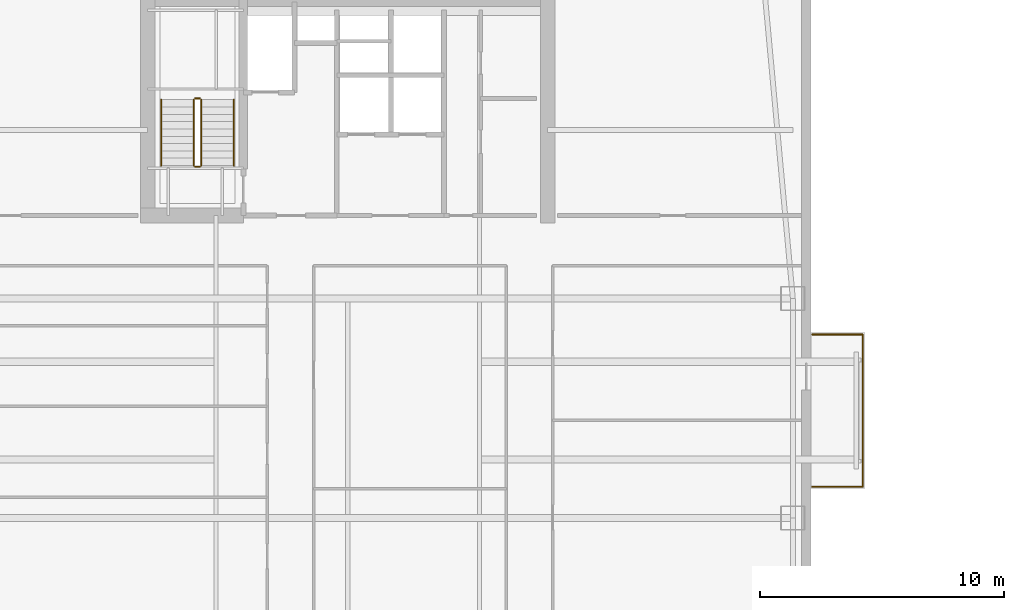
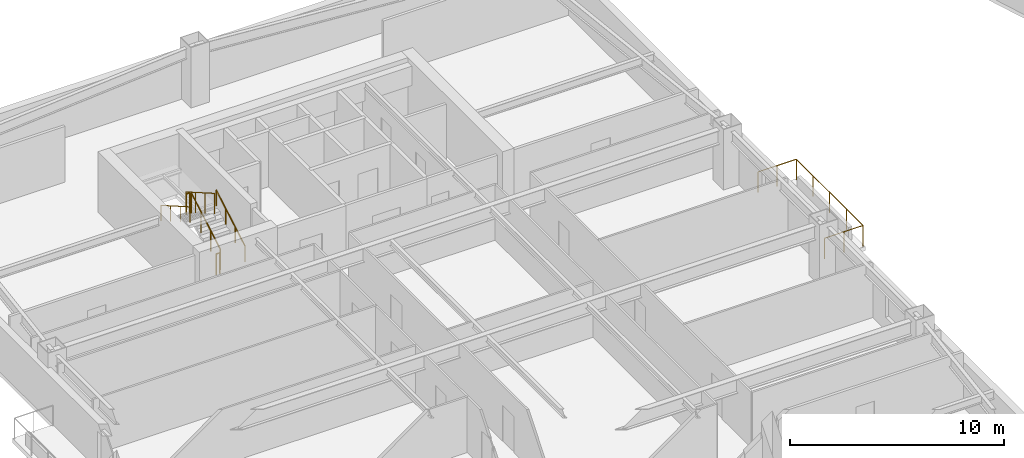
# One storey, part 13 of 15: 7 railings.
"""IFC4 building model written with IfcOpenShell, lengths in metres."""

from ifc_helpers import new_model, si_unit, direction, frame, origin, origin_2d, place, context, subcontext, project, spatial, circle, extrude, material, type_object, element, save


model = new_model("IFC4")

# Units and contexts
model_context = context("Model", 3, precision=1e-05, world=origin(), true_north=direction((0.0, 1.0)))
body_context = subcontext(model_context, "Body", "Model", "MODEL_VIEW")
ifc_project = project(units=[si_unit("LENGTHUNIT", "METRE"), si_unit("AREAUNIT", "SQUARE_METRE"), si_unit("VOLUMEUNIT", "CUBIC_METRE"), si_unit("PLANEANGLEUNIT", "RADIAN"), si_unit("MASSUNIT", "GRAM", prefix="KILO")], contexts=[model_context])

# Site, building, storey
site_placement = place(None, origin())
site = spatial("IfcSite", under=ifc_project, at=site_placement, CompositionType="ELEMENT")
building_placement = place(site_placement, origin())
building = spatial("IfcBuilding", under=site, at=building_placement, Name="Qiaolan Cultural Towers", CompositionType="ELEMENT")
storey_placement = place(building_placement, frame((0.0, 0.0, 113.85009765625)))
storey = spatial("IfcBuildingStorey", under=building, at=storey_placement, Name="L29", CompositionType="ELEMENT", Elevation=113.85009765625)

# Railings
ifc_material_1 = material(Name="Laminated SentryGlas & Stainless Steel S31608 Balustrade", Category="steel")
railing_type_1 = type_object("IfcRailingType", Name="GRD-TERR-1200", PredefinedType="BALUSTRADE", material=ifc_material_1)
railing_1_placement = place(storey_placement, frame((49.050048828125, 35.280029296875, 0.0)))
element("IfcRailing", 1, at=railing_1_placement, inside=storey, type_object=railing_type_1, Name="L29 T1 Tree Balcony Guardrail E", PredefinedType="BALUSTRADE", context=body_context, shape_type="SweptSolid", body=[
    extrude(circle(Radius=0.02392578125, at=origin_2d()), frame((0.0, 0.0, 1.17578125), z_axis=(1.0, 0.0, 0.0), x_axis=(0.0, 1.0, 0.0)), (0.0, 0.0, 1.0), 2.070068359375),
    extrude(circle(Radius=0.02392578125, at=origin_2d()), frame((2.070068359375, 0.0, 1.17578125), z_axis=(0.0, 1.0, 0.0), x_axis=(-1.0, 0.0, 0.0)), (0.0, 0.0, 1.0), 6.239990234375),
    extrude(circle(Radius=0.02392578125, at=origin_2d()), frame((2.070068359375, 6.239990234375, 1.17578125), z_axis=(-1.0, 0.0, 0.0), x_axis=(0.0, -1.0, 0.0)), (0.0, 0.0, 1.0), 2.070068359375),
    extrude(circle(Radius=0.02099609375, at=origin_2d()), origin(), (0.0, 0.0, 1.0), 1.15185546875),
    extrude(circle(Radius=0.02099609375, at=origin_2d()), frame((1.03515625, 0.0, 0.0)), (0.0, 0.0, 1.0), 1.15185546875),
    extrude(circle(Radius=0.02099609375, at=origin_2d()), frame((2.070068359375, 0.0, 0.0)), (0.0, 0.0, 1.0), 1.15185546875),
    extrude(circle(Radius=0.02099609375, at=origin_2d()), frame((2.070068359375, 1.56005859375, 0.0)), (0.0, 0.0, 1.0), 1.15185546875),
    extrude(circle(Radius=0.02099609375, at=origin_2d()), frame((2.070068359375, 3.1201171875, 0.0)), (0.0, 0.0, 1.0), 1.15185546875),
    extrude(circle(Radius=0.02099609375, at=origin_2d()), frame((2.070068359375, 4.679931640625, 0.0)), (0.0, 0.0, 1.0), 1.15185546875),
    extrude(circle(Radius=0.02099609375, at=origin_2d()), frame((2.070068359375, 6.239990234375, 0.0)), (0.0, 0.0, 1.0), 1.15185546875),
    extrude(circle(Radius=0.02099609375, at=origin_2d()), frame((1.03515625, 6.239990234375, 0.0)), (0.0, 0.0, 1.0), 1.15185546875),
    extrude(circle(Radius=0.02099609375, at=origin_2d()), frame((0.0, 6.239990234375, 0.0)), (0.0, 0.0, 1.0), 1.15185546875),
])
ifc_material_2 = material(Name="Galvanized Painted Steel Stair Guardrail", Category="steel")
railing_type_2 = type_object("IfcRailingType", Name="RL-STAIR-GRD", PredefinedType="GUARDRAIL", material=ifc_material_2)
railing_2_placement = place(storey_placement, frame((23.989990234375, 48.449951171875, 0.17236328125)))
element("IfcRailing", 2, at=railing_2_placement, inside=storey, type_object=railing_type_2, Name="L29 ST-W2 stair guard 1", PredefinedType="GUARDRAIL", context=body_context, shape_type="SweptSolid", body=[
    extrude(circle(Radius=0.02392578125, at=origin_2d()), frame((0.0, 0.0, 1.17578125), z_axis=(0.0, 0.866903762492, 0.498475542607), x_axis=(-1.0, 0.0, 0.0)), (0.0, 0.0, 1.0), 3.114501953125),
    extrude(circle(Radius=0.02099609375, at=origin_2d()), origin(), (0.0, 0.0, 1.0), 1.15185546875),
    extrude(circle(Radius=0.02099609375, at=origin_2d()), frame((0.0, 0.89990234375, 0.517578125)), (0.0, 0.0, 1.0), 1.15185546875),
    extrude(circle(Radius=0.02099609375, at=origin_2d()), frame((0.0, 1.800048828125, 1.034912109375)), (0.0, 0.0, 1.0), 1.15185546875),
    extrude(circle(Radius=0.02099609375, at=origin_2d()), frame((0.0, 2.699951171875, 1.552490234375)), (0.0, 0.0, 1.0), 1.15185546875),
])
railing_3_placement = place(storey_placement, frame((23.93994140625, 51.199951171875, 1.724853515625)))
element("IfcRailing", 3, at=railing_3_placement, inside=storey, type_object=railing_type_2, Name="L29 ST-W2 stair guard 2", PredefinedType="GUARDRAIL", context=body_context, shape_type="SweptSolid", body=[
    extrude(circle(Radius=0.02392578125, at=origin_2d()), frame((0.0, 0.0, 1.17578125), z_axis=(-1.0, 0.0, 0.0), x_axis=(0.0, -1.0, 0.0)), (0.0, 0.0, 1.0), 0.199951171875),
    extrude(circle(Radius=0.02099609375, at=origin_2d()), origin(), (0.0, 0.0, 1.0), 1.15185546875),
    extrude(circle(Radius=0.02099609375, at=origin_2d()), frame((-0.199951171875, 0.0, 0.0)), (0.0, 0.0, 1.0), 1.15185546875),
])
railing_4_placement = place(storey_placement, frame((23.68994140625, 51.14990234375, 1.8974609375)))
element("IfcRailing", 4, at=railing_4_placement, inside=storey, type_object=railing_type_2, Name="L29 ST-W2 stair guard 3", PredefinedType="GUARDRAIL", context=body_context, shape_type="SweptSolid", body=[
    extrude(circle(Radius=0.02392578125, at=origin_2d()), frame((0.0, 0.0, 1.17578125), z_axis=(0.0, -0.866903762492, 0.498475542607), x_axis=(1.0, 0.0, 0.0)), (0.0, 0.0, 1.0), 3.114501953125),
    extrude(circle(Radius=0.02099609375, at=origin_2d()), origin(), (0.0, 0.0, 1.0), 1.15185546875),
    extrude(circle(Radius=0.02099609375, at=origin_2d()), frame((0.0, -0.89990234375, 0.517578125)), (0.0, 0.0, 1.0), 1.15185546875),
    extrude(circle(Radius=0.02099609375, at=origin_2d()), frame((0.0, -1.800048828125, 1.034912109375)), (0.0, 0.0, 1.0), 1.15185546875),
    extrude(circle(Radius=0.02099609375, at=origin_2d()), frame((0.0, -2.699951171875, 1.552490234375)), (0.0, 0.0, 1.0), 1.15185546875),
])
railing_5_placement = place(storey_placement, frame((23.93994140625, 48.39990234375, 0.0)))
element("IfcRailing", 5, at=railing_5_placement, inside=storey, type_object=railing_type_2, Name="L29 ST-W2 stair guard 4", PredefinedType="GUARDRAIL", context=body_context, shape_type="SweptSolid", body=[
    extrude(circle(Radius=0.02392578125, at=origin_2d()), frame((0.0, 0.0, 1.17578125), z_axis=(-1.0, 0.0, 0.0), x_axis=(0.0, -1.0, 0.0)), (0.0, 0.0, 1.0), 0.199951171875),
    extrude(circle(Radius=0.02099609375, at=origin_2d()), origin(), (0.0, 0.0, 1.0), 1.15185546875),
    extrude(circle(Radius=0.02099609375, at=origin_2d()), frame((-0.199951171875, 0.0, 0.0)), (0.0, 0.0, 1.0), 1.15185546875),
])
ifc_material_3 = material(Name="Stainless Steel S30408 Tubular Handrail", Category="steel")
railing_type_3 = type_object("IfcRailingType", Name="RL-STAIR-HR", PredefinedType="HANDRAIL", material=ifc_material_3)
railing_6_placement = place(storey_placement, frame((25.330078125, 48.449951171875, 0.17236328125)))
element("IfcRailing", 6, at=railing_6_placement, inside=storey, type_object=railing_type_3, Name="L29 ST-W2 stair handrail 1", PredefinedType="HANDRAIL", context=body_context, shape_type="SweptSolid", body=[
    extrude(circle(Radius=0.02392578125, at=origin_2d()), frame((0.0, 0.0, 0.8759765625), z_axis=(0.0, 0.866903762492, 0.498475542607), x_axis=(-1.0, 0.0, 0.0)), (0.0, 0.0, 1.0), 3.114501953125),
    extrude(circle(Radius=0.02099609375, at=origin_2d()), origin(), (0.0, 0.0, 1.0), 0.851806640625),
    extrude(circle(Radius=0.02099609375, at=origin_2d()), frame((0.0, 0.89990234375, 0.517578125)), (0.0, 0.0, 1.0), 0.851806640625),
    extrude(circle(Radius=0.02099609375, at=origin_2d()), frame((0.0, 1.800048828125, 1.034912109375)), (0.0, 0.0, 1.0), 0.851806640625),
    extrude(circle(Radius=0.02099609375, at=origin_2d()), frame((0.0, 2.699951171875, 1.552490234375)), (0.0, 0.0, 1.0), 0.851806640625),
])
railing_7_placement = place(storey_placement, frame((22.35009765625, 51.14990234375, 1.8974609375)))
element("IfcRailing", 7, at=railing_7_placement, inside=storey, type_object=railing_type_3, Name="L29 ST-W2 stair handrail 2", PredefinedType="HANDRAIL", context=body_context, shape_type="SweptSolid", body=[
    extrude(circle(Radius=0.02392578125, at=origin_2d()), frame((0.0, 0.0, 0.8759765625), z_axis=(0.0, -0.866903762492, 0.498475542607), x_axis=(1.0, 0.0, 0.0)), (0.0, 0.0, 1.0), 3.114501953125),
    extrude(circle(Radius=0.02099609375, at=origin_2d()), origin(), (0.0, 0.0, 1.0), 0.851806640625),
    extrude(circle(Radius=0.02099609375, at=origin_2d()), frame((0.0, -0.89990234375, 0.517578125)), (0.0, 0.0, 1.0), 0.851806640625),
    extrude(circle(Radius=0.02099609375, at=origin_2d()), frame((0.0, -1.800048828125, 1.034912109375)), (0.0, 0.0, 1.0), 0.851806640625),
    extrude(circle(Radius=0.02099609375, at=origin_2d()), frame((0.0, -2.699951171875, 1.552490234375)), (0.0, 0.0, 1.0), 0.851806640625),
])

save(model, "model.ifc")
